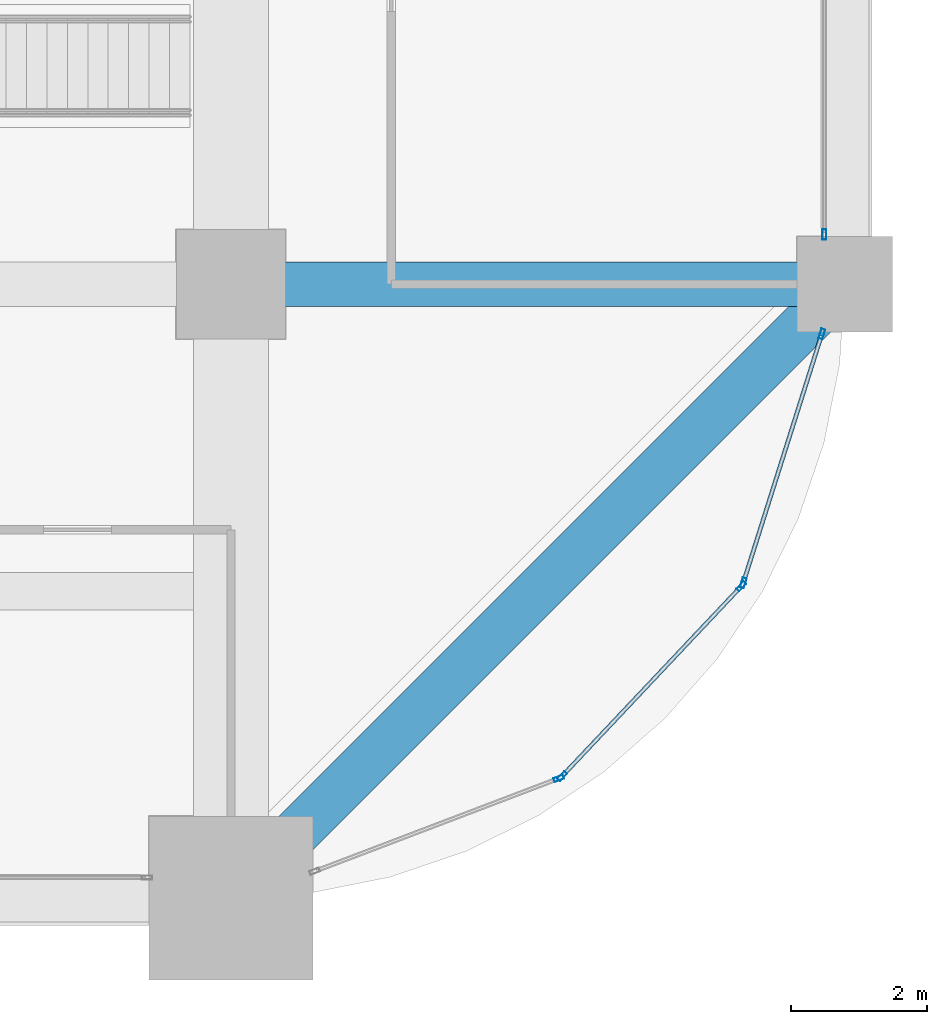
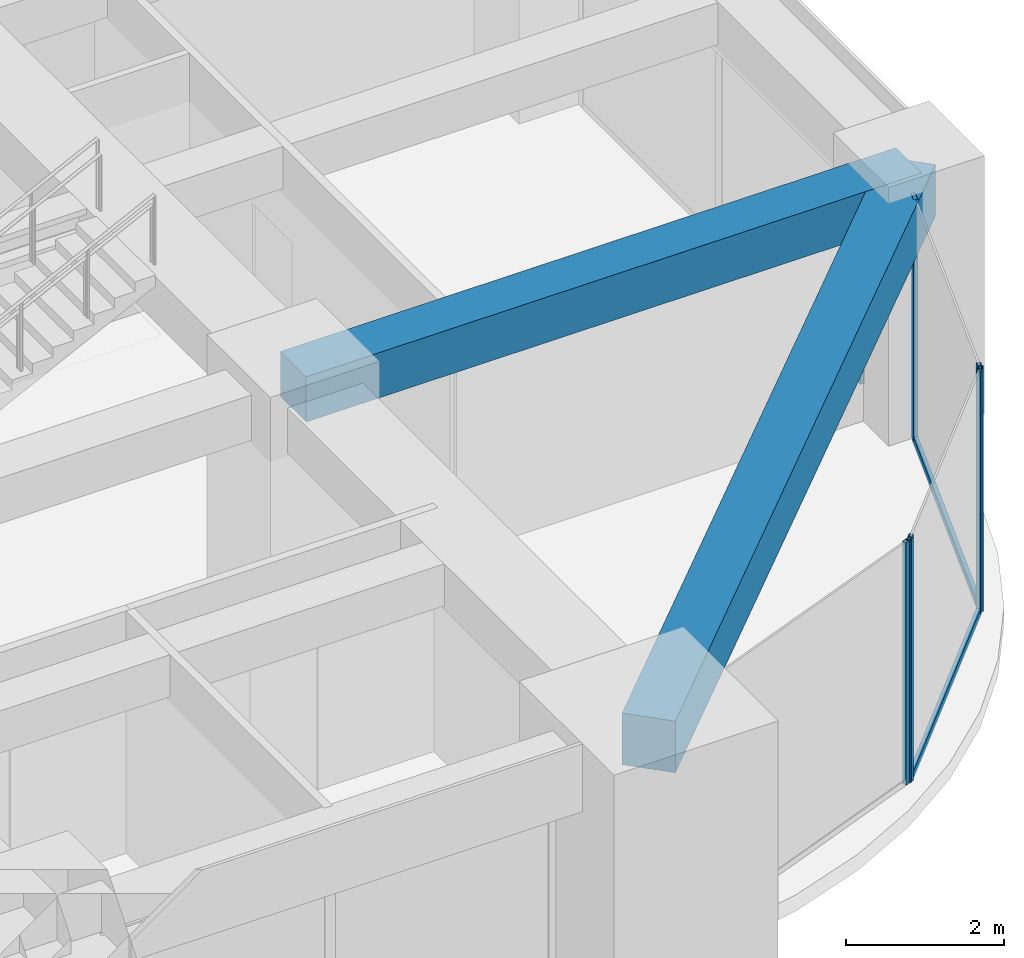
# One storey, part 16 of 34: 8 members, 2 beams, 4 elements without a shape of their own.
"""IFC4 building model written with IfcOpenShell, lengths in metres."""

from ifc_helpers import new_model, si_unit, direction, frame, origin, origin_2d, place, context, subcontext, project, spatial, rectangle, hollow_rectangle, extrude, material, material_profile, profile_set, type_object, element, aggregate, save


model = new_model("IFC4")

# Units and contexts
model_context = context("Model", 3, precision=1e-05, world=origin(), true_north=direction((0.0, 1.0)))
body_context = subcontext(model_context, "Body", "Model", "MODEL_VIEW")
ifc_project = project(units=[si_unit("LENGTHUNIT", "METRE"), si_unit("AREAUNIT", "SQUARE_METRE"), si_unit("VOLUMEUNIT", "CUBIC_METRE"), si_unit("PLANEANGLEUNIT", "RADIAN"), si_unit("MASSUNIT", "GRAM", prefix="KILO")], contexts=[model_context])

# Site, building, storey
site_placement = place(None, origin())
site = spatial("IfcSite", under=ifc_project, at=site_placement, CompositionType="ELEMENT")
building_placement = place(site_placement, origin())
building = spatial("IfcBuilding", under=site, at=building_placement, Name="Zorevar Civic Tower", CompositionType="ELEMENT")
storey_placement = place(building_placement, frame((0.0, 0.0, 174.199951171875)))
storey = spatial("IfcBuildingStorey", under=building, at=storey_placement, Name="L42", CompositionType="ELEMENT", Elevation=174.199951171875)

# Beam
ifc_material_1 = material(Name="Concrete C50/60", Category="concrete")
ifc_material_profile_1 = material_profile(ifc_material_1, rectangle(XDim=0.64990234375, YDim=0.699951171875, at=origin_2d()), Name="RC 650x700")
ifc_profile_set_1 = profile_set([ifc_material_profile_1], Name="Concrete C50/60")
beam_type_1 = type_object("IfcBeamType", Name="Beam RC 650x700", PredefinedType="BEAM", material=ifc_profile_set_1)
beam_1_placement = place(storey_placement, frame((45.0, 9.0, 3.400146484375), z_axis=(1.0, 0.0, 0.0), x_axis=(0.0, 1.0, 0.0)))
element("IfcBeam", 1, at=beam_1_placement, inside=storey, type_object=beam_type_1, Name="Girder L43", PredefinedType="BEAM", context=body_context, shape_type="SweptSolid", body=[
    extrude(rectangle(XDim=0.64990234375, YDim=0.699951171875, at=origin_2d()), origin(), (0.0, 0.0, 1.0), 9.0),
])

# Curtain wall, member
ifc_material_2 = material(Name="Dark grey solar-control glass in black aluminium frame", Category="aluminium")
curtain_wall_type = type_object("IfcCurtainWallType", Name="Curtain wall CW4 high zone", PredefinedType="NOTDEFINED", material=ifc_material_2)
curtain_wall_1_placement = place(storey_placement, origin())
curtain_wall_1 = element("IfcCurtainWall", 2, at=curtain_wall_1_placement, inside=storey, type_object=curtain_wall_type, Name="CW4 L42", PredefinedType="NOTDEFINED")
ifc_material_3 = material(Name="Aluminium, black anodised", Category="aluminium")
ifc_material_profile_2 = material_profile(ifc_material_3, hollow_rectangle(XDim=0.06005859375, YDim=0.14990234375, WallThickness=0.00390625, at=origin_2d()), Name="AL 150x60x4")
ifc_profile_set_2 = profile_set([ifc_material_profile_2], Name="Aluminium, black anodised")
member_type_1 = type_object("IfcMemberType", Name="CW4 mullion AL 150x60x4", PredefinedType="MULLION", material=ifc_profile_set_2)
member_1_placement = place(storey_placement, frame((53.699951171875, 9.72998046875, 0.0), z_axis=(0.0, 0.0, 1.0), x_axis=(-1.0, 0.0, 0.0)))
member_1 = element("IfcMember", 3, at=member_1_placement, type_object=member_type_1, Name="CW4 mullion 1", PredefinedType="MULLION", context=body_context, shape_type="SweptSolid", body=[
    extrude(hollow_rectangle(XDim=0.06005859375, YDim=0.14990234375, WallThickness=0.00390625, at=origin_2d()), origin(), (0.0, 0.0, 1.0), 2.949951171875),
])
aggregate(curtain_wall_1, [member_1])

curtain_wall_2_placement = place(storey_placement, origin())
curtain_wall_2 = element("IfcCurtainWall", 4, at=curtain_wall_2_placement, inside=storey, type_object=curtain_wall_type, Name="CW4 L42", PredefinedType="NOTDEFINED")
member_2_placement = place(storey_placement, frame((49.804931640625, 1.75537109375, 0.0), z_axis=(0.0, 0.0, 1.0), x_axis=(-0.355730895803, 0.93458842801, 0.0)))
member_2 = element("IfcMember", 5, at=member_2_placement, type_object=member_type_1, Name="CW4 mullion 2", PredefinedType="MULLION", context=body_context, shape_type="SweptSolid", body=[
    extrude(hollow_rectangle(XDim=0.06005859375, YDim=0.14990234375, WallThickness=0.00390625, at=origin_2d()), origin(), (0.0, 0.0, 1.0), 3.75),
])
aggregate(curtain_wall_2, [member_2])

# Curtain wall, members
curtain_wall_3_placement = place(storey_placement, origin())
curtain_wall_3 = element("IfcCurtainWall", 6, at=curtain_wall_3_placement, inside=storey, type_object=curtain_wall_type, Name="CW4 L42", PredefinedType="NOTDEFINED")
member_3_placement = place(storey_placement, frame((49.853759765625, 1.787841796875, 0.0), z_axis=(0.0, 0.0, 1.0), x_axis=(-0.727245053898, 0.686377907265, 0.0)))
member_3 = element("IfcMember", 7, at=member_3_placement, type_object=member_type_1, Name="CW4 mullion 1", PredefinedType="MULLION", context=body_context, shape_type="SweptSolid", body=[
    extrude(hollow_rectangle(XDim=0.06005859375, YDim=0.14990234375, WallThickness=0.00390625, at=origin_2d()), origin(), (0.0, 0.0, 1.0), 3.75),
])
member_4_placement = place(storey_placement, frame((52.480712890625, 4.5712890625, 0.0), z_axis=(0.0, 0.0, 1.0), x_axis=(-0.727245053898, 0.686377907265, 0.0)))
member_4 = element("IfcMember", 8, at=member_4_placement, type_object=member_type_1, Name="CW4 mullion 2", PredefinedType="MULLION", context=body_context, shape_type="SweptSolid", body=[
    extrude(hollow_rectangle(XDim=0.06005859375, YDim=0.14990234375, WallThickness=0.00390625, at=origin_2d()), origin(), (0.0, 0.0, 1.0), 3.75),
])

curtain_wall_4_placement = place(storey_placement, origin())
curtain_wall_4 = element("IfcCurtainWall", 9, at=curtain_wall_4_placement, inside=storey, type_object=curtain_wall_type, Name="CW4 L42", PredefinedType="NOTDEFINED")
member_5_placement = place(storey_placement, frame((52.51025390625, 4.62158203125, 0.0), z_axis=(0.0, 0.0, 1.0), x_axis=(-0.953589950678, 0.301108296077, 0.0)))
member_5 = element("IfcMember", 10, at=member_5_placement, type_object=member_type_1, Name="CW4 mullion 1", PredefinedType="MULLION", context=body_context, shape_type="SweptSolid", body=[
    extrude(hollow_rectangle(XDim=0.06005859375, YDim=0.14990234375, WallThickness=0.00390625, at=origin_2d()), origin(), (0.0, 0.0, 1.0), 3.75),
])
member_6_placement = place(storey_placement, frame((53.66259765625, 8.271484375, 0.0), z_axis=(0.0, 0.0, 1.0), x_axis=(-0.953589950678, 0.301108296077, 0.0)))
member_6 = element("IfcMember", 11, at=member_6_placement, type_object=member_type_1, Name="CW4 mullion 2", PredefinedType="MULLION", context=body_context, shape_type="SweptSolid", body=[
    extrude(hollow_rectangle(XDim=0.06005859375, YDim=0.14990234375, WallThickness=0.00390625, at=origin_2d()), origin(), (0.0, 0.0, 1.0), 3.75),
])

# Member
ifc_material_4 = material(Name="Aluminium, black anodised", Category="aluminium")
ifc_material_profile_3 = material_profile(ifc_material_4, hollow_rectangle(XDim=0.06005859375, YDim=0.1201171875, WallThickness=0.0029296875, at=origin_2d()), Name="AL 120x60x3")
ifc_profile_set_3 = profile_set([ifc_material_profile_3], Name="Aluminium, black anodised")
member_type_2 = type_object("IfcMemberType", Name="CW4 transom AL 120x60x3", PredefinedType="USERDEFINED", material=ifc_profile_set_3)
member_7_placement = place(storey_placement, frame((49.874267578125, 1.8095703125, 0.030029296875), z_axis=(0.686332338526, 0.727288059227, 0.0), x_axis=(-0.727288059227, 0.686332338526, 0.0)))
member_7 = element("IfcMember", 12, at=member_7_placement, type_object=member_type_2, Name="CW4 sill transom", ObjectType="TRANSOM", PredefinedType="USERDEFINED", context=body_context, shape_type="SweptSolid", body=[
    extrude(hollow_rectangle(XDim=0.06005859375, YDim=0.1201171875, WallThickness=0.0029296875, at=origin_2d()), origin(), (0.0, 0.0, 1.0), 3.767333984375),
])

aggregate(curtain_wall_3, [member_3, member_4, member_7])

member_8_placement = place(storey_placement, frame((52.519287109375, 4.650390625, 0.030029296875), z_axis=(0.301100351109, 0.953592459367, 0.0), x_axis=(-0.953592459367, 0.301100351109, 0.0)))
member_8 = element("IfcMember", 13, at=member_8_placement, type_object=member_type_2, Name="CW4 sill transom", ObjectType="TRANSOM", PredefinedType="USERDEFINED", context=body_context, shape_type="SweptSolid", body=[
    extrude(hollow_rectangle(XDim=0.06005859375, YDim=0.1201171875, WallThickness=0.0029296875, at=origin_2d()), origin(), (0.0, 0.0, 1.0), 3.76708984375),
])

aggregate(curtain_wall_4, [member_5, member_6, member_8])

# Beam
ifc_material_5 = material(Name="Concrete C50/60", Category="concrete")
ifc_material_profile_4 = material_profile(ifc_material_5, rectangle(XDim=0.699951171875, YDim=0.800048828125, at=origin_2d()), Name="RC 700x800")
ifc_profile_set_4 = profile_set([ifc_material_profile_4], Name="Concrete C50/60")
beam_type_2 = type_object("IfcBeamType", Name="Edge beam RC 700x800", PredefinedType="SPANDREL", material=ifc_profile_set_4)
beam_2_placement = place(storey_placement, frame((45.0, 0.0, 3.35009765625), z_axis=(0.707106781187, 0.707106781187, 0.0), x_axis=(-0.707106781187, 0.707106781187, 0.0)))
element("IfcBeam", 14, at=beam_2_placement, inside=storey, type_object=beam_type_2, Name="Corner edge beam L43", PredefinedType="SPANDREL", context=body_context, shape_type="SweptSolid", body=[
    extrude(rectangle(XDim=0.699951171875, YDim=0.800048828125, at=origin_2d()), origin(), (0.0, 0.0, 1.0), 12.72802734375),
])

save(model, "model.ifc")
